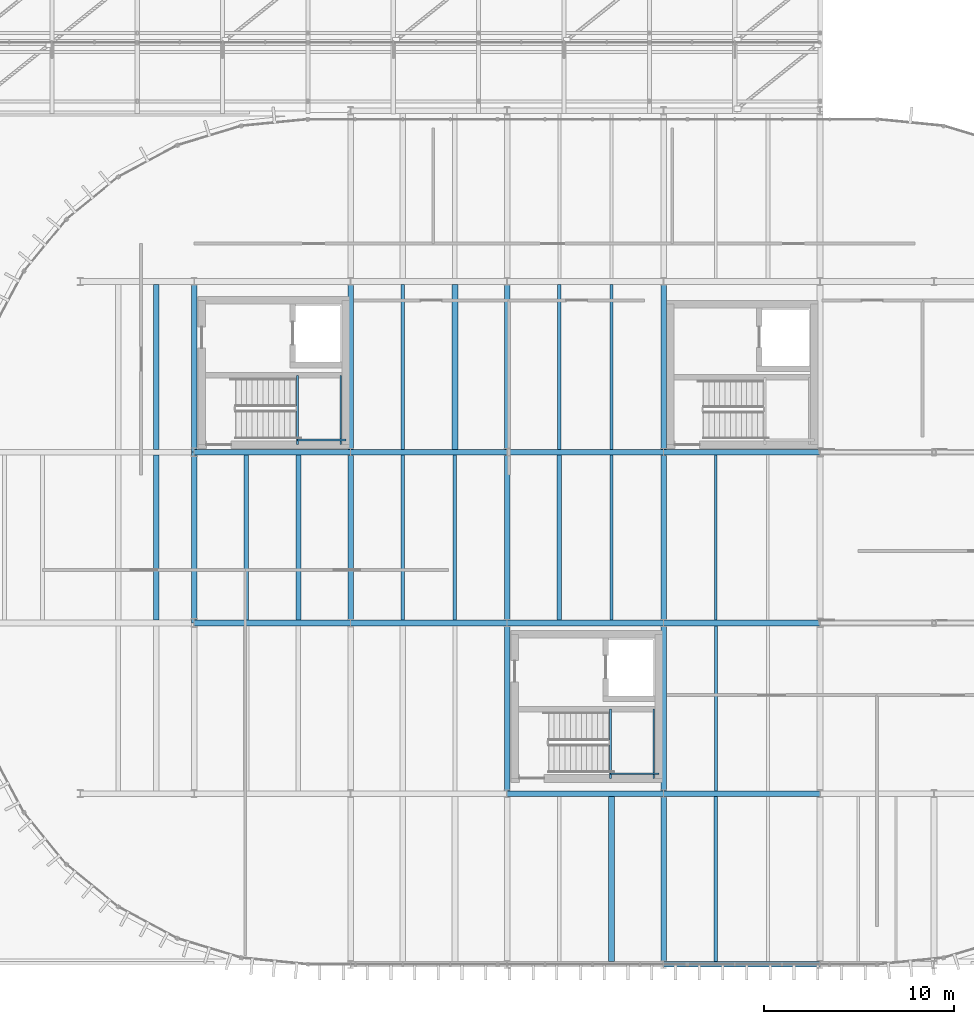
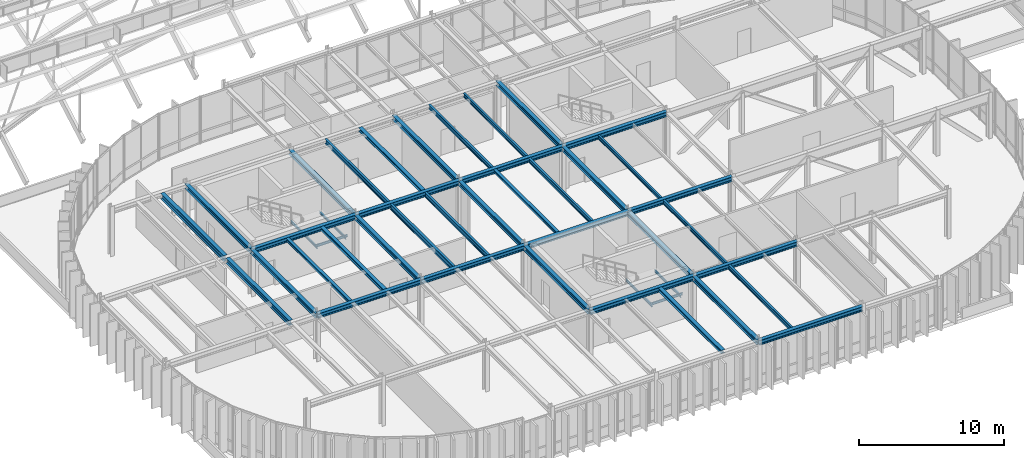
# One storey, part 15 of 69: 44 beams.
"""IFC4 building model written with IfcOpenShell, lengths in metres."""

from ifc_helpers import new_model, si_unit, direction, frame, origin, origin_2d, place, context, subcontext, project, spatial, i_section, extrude, material, material_profile, profile_set, type_object, element, save


model = new_model("IFC4")

# Units and contexts
model_context = context("Model", 3, precision=1e-05, world=origin(), true_north=direction((0.0, 1.0)))
body_context = subcontext(model_context, "Body", "Model", "MODEL_VIEW")
ifc_project = project(units=[si_unit("LENGTHUNIT", "METRE"), si_unit("AREAUNIT", "SQUARE_METRE"), si_unit("VOLUMEUNIT", "CUBIC_METRE"), si_unit("PLANEANGLEUNIT", "RADIAN"), si_unit("MASSUNIT", "GRAM", prefix="KILO")], contexts=[model_context])

# Site, building, storey
site_placement = place(None, origin())
site = spatial("IfcSite", under=ifc_project, at=site_placement, CompositionType="ELEMENT")
building_placement = place(site_placement, origin())
building = spatial("IfcBuilding", under=site, at=building_placement, Name="Montealbar Specialist Clinic", CompositionType="ELEMENT")
storey_placement = place(building_placement, frame((0.0, 0.0, 9.60009765625)))
storey = spatial("IfcBuildingStorey", under=building, at=storey_placement, Name="L02", CompositionType="ELEMENT", Elevation=9.60009765625)

# Beams
ifc_material = material(Name="Steel S355", Category="steel")
ifc_material_profile_1 = material_profile(ifc_material, i_section(OverallWidth=0.300048828125, OverallDepth=0.39990234375, WebThickness=0.013427734375, FlangeThickness=0.02392578125, FilletRadius=0.027099609375, at=origin_2d()), Name="HEB 400", Category="steel")
ifc_profile_set_1 = profile_set([ifc_material_profile_1], Name="Steel S355")
beam_type_1 = type_object("IfcBeamType", Name="BM-GIRD-HEB400", PredefinedType="BEAM", material=ifc_profile_set_1)
for number, where, z_axis, x_axis, name in (
    (1, (82.5, 9.0, 3.72998046875), (1.0, 0.0, 0.0), (0.0, 1.0, 0.0), "Beam GX-L02-825-908-90"),
    (2, (90.75, 9.0, 3.72998046875), (1.0, 0.0, 0.0), (0.0, 1.0, 0.0), "Beam GX-L02-908-990-90"),
    (3, (66.0, 18.0, 3.72998046875), (1.0, 0.0, 0.0), (0.0, 1.0, 0.0), "Beam GX-L02-660-742-180"),
    (4, (82.5, 18.0, 3.72998046875), (1.0, 0.0, 0.0), (0.0, 1.0, 0.0), "Beam GX-L02-825-908-180"),
    (5, (90.75, 18.0, 3.72998046875), (1.0, 0.0, 0.0), (0.0, 1.0, 0.0), "Beam GX-L02-908-990-180"),
    (6, (66.0, 27.0, 3.72998046875), (1.0, 0.0, 0.0), (0.0, 1.0, 0.0), "Beam GX-L02-660-742-270"),
    (7, (74.25, 27.0, 3.72998046875), (1.0, 0.0, 0.0), (0.0, 1.0, 0.0), "Beam GX-L02-742-825-270"),
    (8, (82.5, 27.0, 3.72998046875), (1.0, 0.0, 0.0), (0.0, 1.0, 0.0), "Beam GX-L02-825-908-270"),
    (9, (90.75, 27.0, 3.72998046875), (1.0, 0.0, 0.0), (0.0, 1.0, 0.0), "Beam GX-L02-908-990-270"),
):
    element("IfcBeam", number, at=place(storey_placement, frame(where, z_axis=z_axis, x_axis=x_axis)), inside=storey, type_object=beam_type_1, Name=name, PredefinedType="BEAM", context=body_context, shape_type="SweptSolid", body=[
        extrude(i_section(OverallWidth=0.300048828125, OverallDepth=0.39990234375, WebThickness=0.013427734375, FlangeThickness=0.02392578125, FilletRadius=0.027099609375, at=origin_2d()), origin(), (0.0, 0.0, 1.0), 8.25),
    ])
for number, where, z_axis, x_axis, name in (
    (10, (66.0, 18.0, 3.72998046875), (0.0, 1.0, 0.0), (-1.0, 0.0, 0.0), "Beam GY-L02-660-180-270"),
    (11, (66.0, 27.0, 3.72998046875), (0.0, 1.0, 0.0), (-1.0, 0.0, 0.0), "Beam GY-L02-660-270-360"),
    (12, (74.25, 27.0, 3.72998046875), (0.0, 1.0, 0.0), (-1.0, 0.0, 0.0), "Beam GY-L02-742-270-360"),
    (13, (82.5, 9.0, 3.72998046875), (0.0, 1.0, 0.0), (-1.0, 0.0, 0.0), "Beam GY-L02-825-90-180"),
    (14, (82.5, 27.0, 3.72998046875), (0.0, 1.0, 0.0), (-1.0, 0.0, 0.0), "Beam GY-L02-825-270-360"),
    (15, (90.75, 0.0, 3.72998046875), (0.0, 1.0, 0.0), (-1.0, 0.0, 0.0), "Beam GY-L02-908-0-90"),
    (16, (90.75, 9.0, 3.72998046875), (0.0, 1.0, 0.0), (-1.0, 0.0, 0.0), "Beam GY-L02-908-90-180"),
    (17, (90.75, 18.0, 3.72998046875), (0.0, 1.0, 0.0), (-1.0, 0.0, 0.0), "Beam GY-L02-908-180-270"),
    (18, (90.75, 27.0, 3.72998046875), (0.0, 1.0, 0.0), (-1.0, 0.0, 0.0), "Beam GY-L02-908-270-360"),
):
    element("IfcBeam", number, at=place(storey_placement, frame(where, z_axis=z_axis, x_axis=x_axis)), inside=storey, type_object=beam_type_1, Name=name, PredefinedType="BEAM", context=body_context, shape_type="SweptSolid", body=[
        extrude(i_section(OverallWidth=0.300048828125, OverallDepth=0.39990234375, WebThickness=0.013427734375, FlangeThickness=0.02392578125, FilletRadius=0.027099609375, at=origin_2d()), origin(), (0.0, 0.0, 1.0), 9.0),
    ])
ifc_material_profile_2 = material_profile(ifc_material, i_section(OverallWidth=0.300048828125, OverallDepth=0.39990234375, WebThickness=0.013427734375, FlangeThickness=0.02392578125, FilletRadius=0.027099609375, at=origin_2d()), Name="HEB 400", Category="steel")
ifc_profile_set_2 = profile_set([ifc_material_profile_2], Name="Steel S355")
beam_type_2 = type_object("IfcBeamType", Name="BM-GIRD-HEB400-EXT", PredefinedType="BEAM", material=ifc_profile_set_2)
for number, where, z_axis, x_axis, name in (
    (19, (90.75, 0.0, 3.72998046875), (1.0, 0.0, 0.0), (0.0, 1.0, 0.0), "Beam GX-L02-908-990-0"),
    (20, (74.25, 18.0, 3.72998046875), (1.0, 0.0, 0.0), (0.0, 1.0, 0.0), "Beam GX-L02-742-825-180"),
):
    element("IfcBeam", number, at=place(storey_placement, frame(where, z_axis=z_axis, x_axis=x_axis)), inside=storey, type_object=beam_type_2, Name=name, PredefinedType="BEAM", context=body_context, shape_type="SweptSolid", body=[
        extrude(i_section(OverallWidth=0.300048828125, OverallDepth=0.39990234375, WebThickness=0.013427734375, FlangeThickness=0.02392578125, FilletRadius=0.027099609375, at=origin_2d()), origin(), (0.0, 0.0, 1.0), 8.25),
    ])
for number, where, z_axis, x_axis, name in (
    (21, (74.25, 18.0, 3.72998046875), (0.0, 1.0, 0.0), (-1.0, 0.0, 0.0), "Beam GY-L02-742-180-270"),
    (22, (82.5, 18.0, 3.72998046875), (0.0, 1.0, 0.0), (-1.0, 0.0, 0.0), "Beam GY-L02-825-180-270"),
):
    element("IfcBeam", number, at=place(storey_placement, frame(where, z_axis=z_axis, x_axis=x_axis)), inside=storey, type_object=beam_type_2, Name=name, PredefinedType="BEAM", context=body_context, shape_type="SweptSolid", body=[
        extrude(i_section(OverallWidth=0.300048828125, OverallDepth=0.39990234375, WebThickness=0.013427734375, FlangeThickness=0.02392578125, FilletRadius=0.027099609375, at=origin_2d()), origin(), (0.0, 0.0, 1.0), 9.0),
    ])
ifc_material_profile_3 = material_profile(ifc_material, i_section(OverallWidth=0.300048828125, OverallDepth=0.43994140625, WebThickness=0.011474609375, FlangeThickness=0.02099609375, FilletRadius=0.027099609375, at=origin_2d()), Name="HEA 450", Category="steel")
ifc_profile_set_3 = profile_set([ifc_material_profile_3], Name="Steel S355")
beam_type_3 = type_object("IfcBeamType", Name="BM-JST-HEA450", PredefinedType="JOIST", material=ifc_profile_set_3)
beam_1_placement = place(storey_placement, frame((64.0, 18.14990234375, 3.7099609375), z_axis=(0.0, 1.0, 0.0), x_axis=(-1.0, 0.0, 0.0)))
element("IfcBeam", 23, at=beam_1_placement, inside=storey, type_object=beam_type_3, Name="Beam JST-L02-640-182-268", PredefinedType="JOIST", context=body_context, shape_type="SweptSolid", body=[
    extrude(i_section(OverallWidth=0.300048828125, OverallDepth=0.43994140625, WebThickness=0.011474609375, FlangeThickness=0.02099609375, FilletRadius=0.027099609375, at=origin_2d()), origin(), (0.0, 0.0, 1.0), 8.7001953125),
])
ifc_material_profile_4 = material_profile(ifc_material, i_section(OverallWidth=0.300048828125, OverallDepth=0.489990234375, WebThickness=0.011962890625, FlangeThickness=0.02294921875, FilletRadius=0.027099609375, at=origin_2d()), Name="HEA 500", Category="steel")
ifc_profile_set_4 = profile_set([ifc_material_profile_4], Name="Steel S355")
beam_type_4 = type_object("IfcBeamType", Name="BM-JST-HEA500", PredefinedType="JOIST", material=ifc_profile_set_4)
beam_2_placement = place(storey_placement, frame((64.0, 27.14990234375, 3.684814453125), z_axis=(0.0, 1.0, 0.0), x_axis=(-1.0, 0.0, 0.0)))
element("IfcBeam", 24, at=beam_2_placement, inside=storey, type_object=beam_type_4, Name="Beam JST-L02-640-272-358", PredefinedType="JOIST", context=body_context, shape_type="SweptSolid", body=[
    extrude(i_section(OverallWidth=0.300048828125, OverallDepth=0.489990234375, WebThickness=0.011962890625, FlangeThickness=0.02294921875, FilletRadius=0.027099609375, at=origin_2d()), origin(), (0.0, 0.0, 1.0), 8.7001953125),
])
ifc_material_profile_5 = material_profile(ifc_material, i_section(OverallWidth=0.239990234375, OverallDepth=0.239990234375, WebThickness=0.010009765625, FlangeThickness=0.01708984375, FilletRadius=0.02099609375, at=origin_2d()), Name="HEB 240", Category="steel")
ifc_profile_set_5 = profile_set([ifc_material_profile_5], Name="Steel S355")
beam_type_5 = type_object("IfcBeamType", Name="BM-JST-HEB240", PredefinedType="JOIST", material=ifc_profile_set_5)
beam_3_placement = place(storey_placement, frame((68.75, 18.14990234375, 3.809814453125), z_axis=(0.0, 1.0, 0.0), x_axis=(-1.0, 0.0, 0.0)))
element("IfcBeam", 25, at=beam_3_placement, inside=storey, type_object=beam_type_5, Name="Beam JST-L02-688-182-268", PredefinedType="JOIST", context=body_context, shape_type="SweptSolid", body=[
    extrude(i_section(OverallWidth=0.239990234375, OverallDepth=0.239990234375, WebThickness=0.010009765625, FlangeThickness=0.01708984375, FilletRadius=0.02099609375, at=origin_2d()), origin(), (0.0, 0.0, 1.0), 8.7001953125),
])
ifc_material_profile_6 = material_profile(ifc_material, i_section(OverallWidth=0.280029296875, OverallDepth=0.280029296875, WebThickness=0.010498046875, FlangeThickness=0.01806640625, FilletRadius=0.02392578125, at=origin_2d()), Name="HEB 280", Category="steel")
ifc_profile_set_6 = profile_set([ifc_material_profile_6], Name="Steel S355")
beam_type_6 = type_object("IfcBeamType", Name="BM-JST-HEB280", PredefinedType="JOIST", material=ifc_profile_set_6)
beam_4_placement = place(storey_placement, frame((71.5, 18.14990234375, 3.789794921875), z_axis=(0.0, 1.0, 0.0), x_axis=(-1.0, 0.0, 0.0)))
element("IfcBeam", 26, at=beam_4_placement, inside=storey, type_object=beam_type_6, Name="Beam JST-L02-715-182-268", PredefinedType="JOIST", context=body_context, shape_type="SweptSolid", body=[
    extrude(i_section(OverallWidth=0.280029296875, OverallDepth=0.280029296875, WebThickness=0.010498046875, FlangeThickness=0.01806640625, FilletRadius=0.02392578125, at=origin_2d()), origin(), (0.0, 0.0, 1.0), 8.7001953125),
])
ifc_material_profile_7 = material_profile(ifc_material, i_section(OverallWidth=0.14990234375, OverallDepth=0.300048828125, WebThickness=0.007080078125, FlangeThickness=0.0107421875, FilletRadius=0.014892578125, at=origin_2d()), Name="IPE 300", Category="steel")
ifc_profile_set_7 = profile_set([ifc_material_profile_7], Name="Steel S355")
beam_type_7 = type_object("IfcBeamType", Name="BM-JST-IPE300", PredefinedType="JOIST", material=ifc_profile_set_7)
beam_5_placement = place(storey_placement, frame((93.5, 18.14990234375, 3.77978515625), z_axis=(0.0, 1.0, 0.0), x_axis=(-1.0, 0.0, 0.0)))
element("IfcBeam", 27, at=beam_5_placement, inside=storey, type_object=beam_type_7, Name="Beam JST-L02-935-182-268", PredefinedType="JOIST", context=body_context, shape_type="SweptSolid", body=[
    extrude(i_section(OverallWidth=0.14990234375, OverallDepth=0.300048828125, WebThickness=0.007080078125, FlangeThickness=0.0107421875, FilletRadius=0.014892578125, at=origin_2d()), origin(), (0.0, 0.0, 1.0), 8.7001953125),
])
ifc_material_profile_8 = material_profile(ifc_material, i_section(OverallWidth=0.159912109375, OverallDepth=0.330078125, WebThickness=0.007568359375, FlangeThickness=0.011474609375, FilletRadius=0.01806640625, at=origin_2d()), Name="IPE 330", Category="steel")
ifc_profile_set_8 = profile_set([ifc_material_profile_8], Name="Steel S355")
beam_type_8 = type_object("IfcBeamType", Name="BM-JST-IPE330", PredefinedType="JOIST", material=ifc_profile_set_8)
for number, where, z_axis, x_axis, name in (
    (28, (88.0, 27.14990234375, 3.764892578125), (0.0, 1.0, 0.0), (-1.0, 0.0, 0.0), "Beam JST-L02-880-272-358"),
    (29, (93.5, 9.14990234375, 3.764892578125), (0.0, 1.0, 0.0), (-1.0, 0.0, 0.0), "Beam JST-L02-935-92-178"),
):
    element("IfcBeam", number, at=place(storey_placement, frame(where, z_axis=z_axis, x_axis=x_axis)), inside=storey, type_object=beam_type_8, Name=name, PredefinedType="JOIST", context=body_context, shape_type="SweptSolid", body=[
        extrude(i_section(OverallWidth=0.159912109375, OverallDepth=0.330078125, WebThickness=0.007568359375, FlangeThickness=0.011474609375, FilletRadius=0.01806640625, at=origin_2d()), origin(), (0.0, 0.0, 1.0), 8.7001953125),
    ])
ifc_material_profile_9 = material_profile(ifc_material, i_section(OverallWidth=0.169921875, OverallDepth=0.360107421875, WebThickness=0.008056640625, FlangeThickness=0.0126953125, FilletRadius=0.01806640625, at=origin_2d()), Name="IPE 360", Category="steel")
ifc_profile_set_9 = profile_set([ifc_material_profile_9], Name="Steel S355")
beam_type_9 = type_object("IfcBeamType", Name="BM-JST-IPE360", PredefinedType="JOIST", material=ifc_profile_set_9)
for number, where, z_axis, x_axis, name in (
    (30, (88.0, 18.14990234375, 3.75), (0.0, 1.0, 0.0), (-1.0, 0.0, 0.0), "Beam JST-L02-880-182-268"),
    (31, (85.25, 27.14990234375, 3.75), (0.0, 1.0, 0.0), (-1.0, 0.0, 0.0), "Beam JST-L02-852-272-358"),
    (32, (93.5, 0.14990234375, 3.75), (0.0, 1.0, 0.0), (-1.0, 0.0, 0.0), "Beam JST-L02-935-2-88"),
):
    element("IfcBeam", number, at=place(storey_placement, frame(where, z_axis=z_axis, x_axis=x_axis)), inside=storey, type_object=beam_type_9, Name=name, PredefinedType="JOIST", context=body_context, shape_type="SweptSolid", body=[
        extrude(i_section(OverallWidth=0.169921875, OverallDepth=0.360107421875, WebThickness=0.008056640625, FlangeThickness=0.0126953125, FilletRadius=0.01806640625, at=origin_2d()), origin(), (0.0, 0.0, 1.0), 8.7001953125),
    ])
ifc_material_profile_10 = material_profile(ifc_material, i_section(OverallWidth=0.10009765625, OverallDepth=0.199951171875, WebThickness=0.005615234375, FlangeThickness=0.008544921875, FilletRadius=0.011962890625, at=origin_2d()), Name="IPE 200", Category="steel")
ifc_profile_set_10 = profile_set([ifc_material_profile_10], Name="Steel S355")
beam_type_10 = type_object("IfcBeamType", Name="BM-LINT-IPE200", PredefinedType="LINTEL", material=ifc_profile_set_10)
for number, where, z_axis, x_axis, name in (
    (33, (71.455078125, 27.39990234375, 1.7998046875), (0.0, 1.0, 0.0), (-1.0, 0.0, 0.0), "Core C3 Stair Landing Beam L02 W"),
    (34, (73.72998046875, 27.39990234375, 1.7998046875), (0.0, 1.0, 0.0), (-1.0, 0.0, 0.0), "Core C3 Stair Landing Beam L02 E"),
):
    element("IfcBeam", number, at=place(storey_placement, frame(where, z_axis=z_axis, x_axis=x_axis)), inside=storey, type_object=beam_type_10, Name=name, PredefinedType="LINTEL", context=body_context, shape_type="SweptSolid", body=[
        extrude(i_section(OverallWidth=0.10009765625, OverallDepth=0.199951171875, WebThickness=0.005615234375, FlangeThickness=0.008544921875, FilletRadius=0.011962890625, at=origin_2d()), origin(), (0.0, 0.0, 1.0), 3.650146484375),
    ])
beam_6_placement = place(storey_placement, frame((71.455078125, 27.64990234375, 1.7998046875), z_axis=(1.0, 0.0, 0.0), x_axis=(0.0, 1.0, 0.0)))
element("IfcBeam", 35, at=beam_6_placement, inside=storey, type_object=beam_type_10, Name="Core C3 Stair Landing Tie Beam L02", PredefinedType="LINTEL", context=body_context, shape_type="SweptSolid", body=[
    extrude(i_section(OverallWidth=0.10009765625, OverallDepth=0.199951171875, WebThickness=0.005615234375, FlangeThickness=0.008544921875, FilletRadius=0.011962890625, at=origin_2d()), origin(), (0.0, 0.0, 1.0), 2.544921875),
])
for number, where, z_axis, x_axis, name in (
    (36, (87.955078125, 9.800048828125, 1.7998046875), (0.0, 1.0, 0.0), (-1.0, 0.0, 0.0), "Core C4 Stair Landing Beam L02 W"),
    (37, (90.22998046875, 9.800048828125, 1.7998046875), (0.0, 1.0, 0.0), (-1.0, 0.0, 0.0), "Core C4 Stair Landing Beam L02 E"),
):
    element("IfcBeam", number, at=place(storey_placement, frame(where, z_axis=z_axis, x_axis=x_axis)), inside=storey, type_object=beam_type_10, Name=name, PredefinedType="LINTEL", context=body_context, shape_type="SweptSolid", body=[
        extrude(i_section(OverallWidth=0.10009765625, OverallDepth=0.199951171875, WebThickness=0.005615234375, FlangeThickness=0.008544921875, FilletRadius=0.011962890625, at=origin_2d()), origin(), (0.0, 0.0, 1.0), 3.64990234375),
    ])
beam_7_placement = place(storey_placement, frame((87.955078125, 10.050048828125, 1.7998046875), z_axis=(1.0, 0.0, 0.0), x_axis=(0.0, 1.0, 0.0)))
element("IfcBeam", 38, at=beam_7_placement, inside=storey, type_object=beam_type_10, Name="Core C4 Stair Landing Tie Beam L02", PredefinedType="LINTEL", context=body_context, shape_type="SweptSolid", body=[
    extrude(i_section(OverallWidth=0.10009765625, OverallDepth=0.199951171875, WebThickness=0.005615234375, FlangeThickness=0.008544921875, FilletRadius=0.011962890625, at=origin_2d()), origin(), (0.0, 0.0, 1.0), 2.544921875),
])
ifc_material_profile_11 = material_profile(ifc_material, i_section(OverallWidth=0.179931640625, OverallDepth=0.39990234375, WebThickness=0.008544921875, FlangeThickness=0.013427734375, FilletRadius=0.02099609375, at=origin_2d()), Name="IPE 400", Category="steel")
ifc_profile_set_11 = profile_set([ifc_material_profile_11], Name="Steel S355")
beam_type_11 = type_object("IfcBeamType", Name="BM-SEC-IPE400", PredefinedType="BEAM", material=ifc_profile_set_11)
for number, where, z_axis, x_axis, name in (
    (39, (79.75, 18.14990234375, 3.72998046875), (0.0, 1.0, 0.0), (-1.0, 0.0, 0.0), "Beam JST-L02-798-182-268"),
    (40, (77.0, 27.14990234375, 3.72998046875), (0.0, 1.0, 0.0), (-1.0, 0.0, 0.0), "Beam JST-L02-770-272-358"),
):
    element("IfcBeam", number, at=place(storey_placement, frame(where, z_axis=z_axis, x_axis=x_axis)), inside=storey, type_object=beam_type_11, Name=name, PredefinedType="BEAM", context=body_context, shape_type="SweptSolid", body=[
        extrude(i_section(OverallWidth=0.179931640625, OverallDepth=0.39990234375, WebThickness=0.008544921875, FlangeThickness=0.013427734375, FilletRadius=0.02099609375, at=origin_2d()), origin(), (0.0, 0.0, 1.0), 8.7001953125),
    ])
ifc_material_profile_12 = material_profile(ifc_material, i_section(OverallWidth=0.18994140625, OverallDepth=0.449951171875, WebThickness=0.009521484375, FlangeThickness=0.0146484375, FilletRadius=0.02099609375, at=origin_2d()), Name="IPE 450", Category="steel")
ifc_profile_set_12 = profile_set([ifc_material_profile_12], Name="Steel S355")
beam_type_12 = type_object("IfcBeamType", Name="BM-SEC-IPE450", PredefinedType="BEAM", material=ifc_profile_set_12)
beam_8_placement = place(storey_placement, frame((77.0, 18.14990234375, 3.704833984375), z_axis=(0.0, 1.0, 0.0), x_axis=(-1.0, 0.0, 0.0)))
element("IfcBeam", 41, at=beam_8_placement, inside=storey, type_object=beam_type_12, Name="Beam JST-L02-770-182-268", PredefinedType="BEAM", context=body_context, shape_type="SweptSolid", body=[
    extrude(i_section(OverallWidth=0.18994140625, OverallDepth=0.449951171875, WebThickness=0.009521484375, FlangeThickness=0.0146484375, FilletRadius=0.02099609375, at=origin_2d()), origin(), (0.0, 0.0, 1.0), 8.7001953125),
])
ifc_material_profile_13 = material_profile(ifc_material, i_section(OverallWidth=0.239990234375, OverallDepth=0.22998046875, WebThickness=0.007568359375, FlangeThickness=0.011962890625, FilletRadius=0.02099609375, at=origin_2d()), Name="HEA 240", Category="steel")
ifc_profile_set_13 = profile_set([ifc_material_profile_13], Name="Steel S355")
beam_type_13 = type_object("IfcBeamType", Name="BM-SPAND-HEA240", PredefinedType="SPANDREL", material=ifc_profile_set_13)
beam_9_placement = place(storey_placement, frame((85.25, 18.14990234375, 3.81494140625), z_axis=(0.0, 1.0, 0.0), x_axis=(-1.0, 0.0, 0.0)))
element("IfcBeam", 42, at=beam_9_placement, inside=storey, type_object=beam_type_13, Name="Beam JST-L02-852-182-268", PredefinedType="SPANDREL", context=body_context, shape_type="SweptSolid", body=[
    extrude(i_section(OverallWidth=0.239990234375, OverallDepth=0.22998046875, WebThickness=0.007568359375, FlangeThickness=0.011962890625, FilletRadius=0.02099609375, at=origin_2d()), origin(), (0.0, 0.0, 1.0), 8.7001953125),
])
ifc_material_profile_14 = material_profile(ifc_material, i_section(OverallWidth=0.300048828125, OverallDepth=0.2900390625, WebThickness=0.008544921875, FlangeThickness=0.013916015625, FilletRadius=0.027099609375, at=origin_2d()), Name="HEA 300", Category="steel")
ifc_profile_set_14 = profile_set([ifc_material_profile_14], Name="Steel S355")
beam_type_14 = type_object("IfcBeamType", Name="BM-SPAND-HEA300", PredefinedType="SPANDREL", material=ifc_profile_set_14)
for number, where, z_axis, x_axis, name in (
    (43, (79.75, 27.14990234375, 3.784912109375), (0.0, 1.0, 0.0), (-1.0, 0.0, 0.0), "Beam JST-L02-798-272-358"),
    (44, (88.0, 0.14990234375, 3.784912109375), (0.0, 1.0, 0.0), (-1.0, 0.0, 0.0), "Beam JST-L02-880-2-88"),
):
    element("IfcBeam", number, at=place(storey_placement, frame(where, z_axis=z_axis, x_axis=x_axis)), inside=storey, type_object=beam_type_14, Name=name, PredefinedType="SPANDREL", context=body_context, shape_type="SweptSolid", body=[
        extrude(i_section(OverallWidth=0.300048828125, OverallDepth=0.2900390625, WebThickness=0.008544921875, FlangeThickness=0.013916015625, FilletRadius=0.027099609375, at=origin_2d()), origin(), (0.0, 0.0, 1.0), 8.7001953125),
    ])

save(model, "model.ifc")
